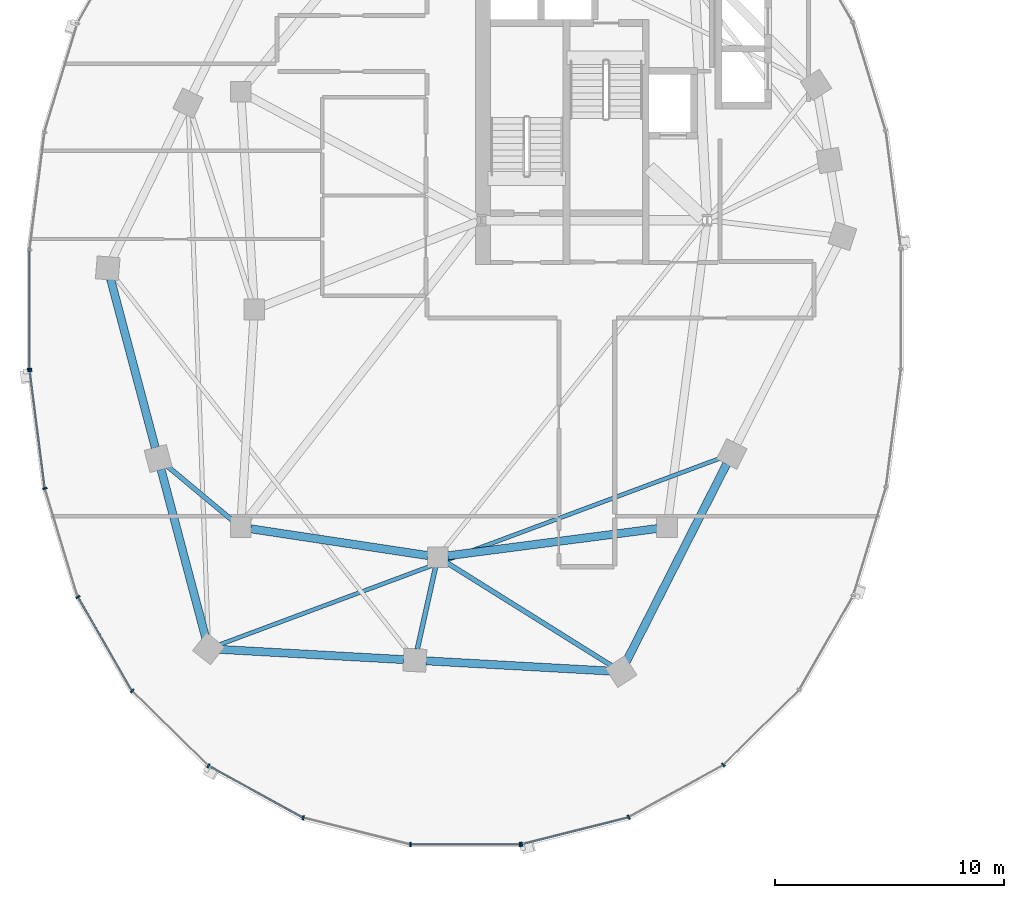
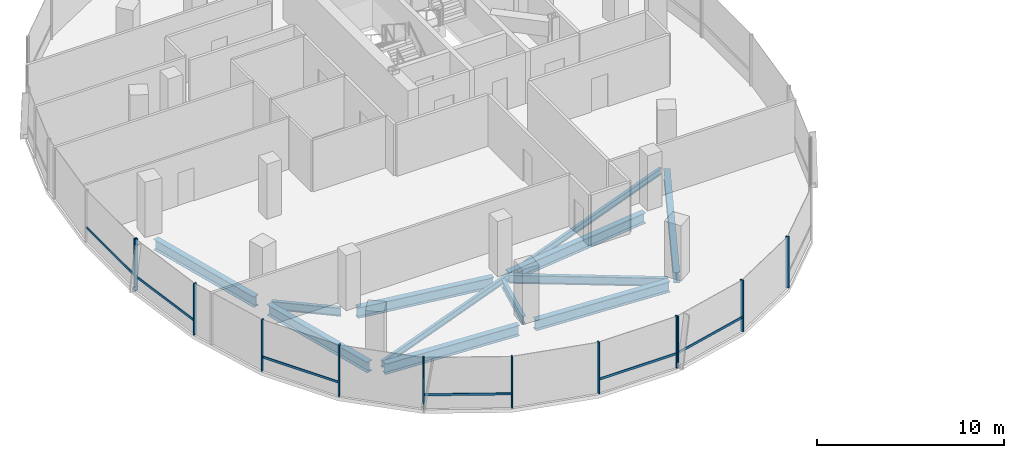
# One storey, part 2 of 22: 18 members, 11 beams, 3 elements without a shape of their own.
"""IFC4 building model written with IfcOpenShell, lengths in metres."""

from ifc_helpers import new_model, si_unit, direction, frame, origin, origin_2d, place, context, subcontext, project, spatial, rectangle, i_section, extrude, material, material_profile, profile_set, type_object, element, aggregate, save


model = new_model("IFC4")

# Units and contexts
model_context = context("Model", 3, precision=1e-05, world=origin(), true_north=direction((0.0, 1.0)))
body_context = subcontext(model_context, "Body", "Model", "MODEL_VIEW")
ifc_project = project(units=[si_unit("LENGTHUNIT", "METRE"), si_unit("AREAUNIT", "SQUARE_METRE"), si_unit("VOLUMEUNIT", "CUBIC_METRE"), si_unit("PLANEANGLEUNIT", "RADIAN"), si_unit("MASSUNIT", "GRAM", prefix="KILO"), si_unit("THERMODYNAMICTEMPERATUREUNIT", "KELVIN"), si_unit("POWERUNIT", "WATT")], contexts=[model_context])

# Site, building, storey
site_placement = place(None, origin())
site = spatial("IfcSite", under=ifc_project, at=site_placement, CompositionType="ELEMENT")
building_placement = place(site_placement, origin())
building = spatial("IfcBuilding", under=site, at=building_placement, Name="Cundina Bronze Exchange", CompositionType="ELEMENT")
storey_placement = place(building_placement, frame((0.0, 0.0, 147.60009765625)))
storey = spatial("IfcBuildingStorey", under=building, at=storey_placement, Name="L38", CompositionType="ELEMENT", Elevation=147.60009765625)

# Beams
ifc_material_1 = material(Name="Steel ASTM A992 Grade 50", Category="steel")
ifc_material_profile_1 = material_profile(ifc_material_1, i_section(OverallWidth=0.2119140625, OverallDepth=0.5439453125, WebThickness=0.01318359375, FlangeThickness=0.021240234375, FilletRadius=0.013916015625, at=origin_2d()), Name="W21X83", Category="steel")
ifc_profile_set_1 = profile_set([ifc_material_profile_1], Name="Steel ASTM A992 Grade 50")
beam_type_1 = type_object("IfcBeamType", Name="BM-FLR-W21A", PredefinedType="BEAM", material=ifc_profile_set_1)
beam_1_placement = place(storey_placement, frame((-42.136474609375, -9.219482421875, -0.51220703125), z_axis=(-0.768253211489, 0.640146079451, 0.0), x_axis=(-0.640146079451, -0.768253211489, 0.0)))
element("IfcBeam", 1, at=beam_1_placement, inside=storey, type_object=beam_type_1, Name="L38 Leg W Radial Floor Beam 09", PredefinedType="BEAM", context=body_context, shape_type="SweptSolid", body=[
    extrude(i_section(OverallWidth=0.2119140625, OverallDepth=0.5439453125, WebThickness=0.01318359375, FlangeThickness=0.021240234375, FilletRadius=0.013916015625, at=origin_2d()), origin(), (0.0, 0.0, 1.0), 3.760009765625),
])
beam_2_placement = place(storey_placement, frame((-33.294921875, -11.2275390625, -0.51220703125), z_axis=(-0.216923440287, -0.976188619609, 0.0), x_axis=(0.976188619609, -0.216923440287, 0.0)))
element("IfcBeam", 2, at=beam_2_placement, inside=storey, type_object=beam_type_1, Name="L38 Leg W Radial Floor Beam 11", PredefinedType="BEAM", context=body_context, shape_type="SweptSolid", body=[
    extrude(i_section(OverallWidth=0.2119140625, OverallDepth=0.5439453125, WebThickness=0.01318359375, FlangeThickness=0.021240234375, FilletRadius=0.013916015625, at=origin_2d()), origin(), (0.0, 0.0, 1.0), 3.68359375),
])
beam_3_placement = place(storey_placement, frame((-32.82861328125, -11.031982421875, -0.51220703125), z_axis=(0.847985407265, -0.530019574228, 0.0), x_axis=(0.530019574228, 0.847985407265, 0.0)))
element("IfcBeam", 3, at=beam_3_placement, inside=storey, type_object=beam_type_1, Name="L38 Leg W Radial Floor Beam 12", PredefinedType="BEAM", context=body_context, shape_type="SweptSolid", body=[
    extrude(i_section(OverallWidth=0.2119140625, OverallDepth=0.5439453125, WebThickness=0.01318359375, FlangeThickness=0.021240234375, FilletRadius=0.013916015625, at=origin_2d()), origin(), (0.0, 0.0, 1.0), 8.50830078125),
])
ifc_material_profile_2 = material_profile(ifc_material_1, i_section(OverallWidth=0.178955078125, OverallDepth=0.409912109375, WebThickness=0.0087890625, FlangeThickness=0.014404296875, FilletRadius=0.010986328125, at=origin_2d()), Name="W16X45", Category="steel")
ifc_profile_set_2 = profile_set([ifc_material_profile_2], Name="Steel ASTM A992 Grade 50")
beam_type_2 = type_object("IfcBeamType", Name="BM-JST-W16", PredefinedType="JOIST", material=ifc_profile_set_2)
beam_4_placement = place(storey_placement, frame((-42.74267578125, -14.629638671875, -0.445068359375), z_axis=(0.937127922351, 0.348986041483, 0.0), x_axis=(-0.348986041483, 0.937127922351, 0.0)))
element("IfcBeam", 4, at=beam_4_placement, inside=storey, type_object=beam_type_2, Name="L38 Leg W Lobe Floor Joist 10-13", PredefinedType="JOIST", context=body_context, shape_type="SweptSolid", body=[
    extrude(i_section(OverallWidth=0.178955078125, OverallDepth=0.409912109375, WebThickness=0.0087890625, FlangeThickness=0.014404296875, FilletRadius=0.010986328125, at=origin_2d()), origin(), (0.0, 0.0, 1.0), 23.38037109375),
])
ifc_material_profile_3 = material_profile(ifc_material_1, i_section(OverallWidth=0.35498046875, OverallDepth=0.695068359375, WebThickness=0.015380859375, FlangeThickness=0.02490234375, FilletRadius=0.01806640625, at=origin_2d()), Name="W27X146", Category="steel")
ifc_profile_set_3 = profile_set([ifc_material_profile_3], Name="Steel ASTM A992 Grade 50")
beam_type_3 = type_object("IfcBeamType", Name="BM-RING-W27", PredefinedType="USERDEFINED", material=ifc_profile_set_3)
beam_5_placement = place(storey_placement, frame((-41.366943359375, -9.5654296875, -0.587646484375), z_axis=(0.988764903598, -0.149478979839, 0.0), x_axis=(0.149478979839, 0.988764903598, 0.0)))
element("IfcBeam", 5, at=beam_5_placement, inside=storey, type_object=beam_type_3, Name="L38 W Inner Structural Ring Girder 05", ObjectType="GIRDER", PredefinedType="USERDEFINED", context=body_context, shape_type="SweptSolid", body=[
    extrude(i_section(OverallWidth=0.35498046875, OverallDepth=0.695068359375, WebThickness=0.015380859375, FlangeThickness=0.02490234375, FilletRadius=0.01806640625, at=origin_2d()), origin(), (0.0, 0.0, 1.0), 7.82177734375),
])
beam_6_placement = place(storey_placement, frame((-32.765625, -10.743408203125, -0.587646484375), z_axis=(0.991656498582, 0.128908451316, 0.0), x_axis=(-0.128908451316, 0.991656498582, 0.0)))
element("IfcBeam", 6, at=beam_6_placement, inside=storey, type_object=beam_type_3, Name="L38 W Inner Structural Ring Girder 06", ObjectType="GIRDER", PredefinedType="USERDEFINED", context=body_context, shape_type="SweptSolid", body=[
    extrude(i_section(OverallWidth=0.35498046875, OverallDepth=0.695068359375, WebThickness=0.015380859375, FlangeThickness=0.02490234375, FilletRadius=0.01806640625, at=origin_2d()), origin(), (0.0, 0.0, 1.0), 9.208251953125),
])
for number, where, z_axis, x_axis, name in (
    (7, (-47.47509765625, 1.328369140625, -0.587646484375), (0.256240814108, -0.966612975904, 0.0), (0.966612975904, 0.256240814108, 0.0), "L38 W Perimeter Ring Girder 08"),
    (8, (-45.27490234375, -6.9716796875, -0.587646484375), (0.256210841755, -0.96662092082, 0.0), (0.96662092082, 0.256210841755, 0.0), "L38 W Perimeter Ring Girder 09"),
):
    element("IfcBeam", number, at=place(storey_placement, frame(where, z_axis=z_axis, x_axis=x_axis)), inside=storey, type_object=beam_type_3, Name=name, ObjectType="GIRDER", PredefinedType="USERDEFINED", context=body_context, shape_type="SweptSolid", body=[
        extrude(i_section(OverallWidth=0.35498046875, OverallDepth=0.695068359375, WebThickness=0.015380859375, FlangeThickness=0.02490234375, FilletRadius=0.01806640625, at=origin_2d()), origin(), (0.0, 0.0, 1.0), 7.61083984375),
    ])
for number, where, z_axis, x_axis, name in (
    (9, (-42.712890625, -14.8271484375, -0.587646484375), (0.998460820451, -0.055461608559, 0.0), (0.055461608559, 0.998460820451, 0.0), "L38 W Perimeter Ring Girder 10"),
    (10, (-33.712890625, -15.3271484375, -0.587646484375), (0.998460820451, -0.055461608559, 0.0), (0.055461608559, 0.998460820451, 0.0), "L38 W Perimeter Ring Girder 11"),
):
    element("IfcBeam", number, at=place(storey_placement, frame(where, z_axis=z_axis, x_axis=x_axis)), inside=storey, type_object=beam_type_3, Name=name, ObjectType="GIRDER", PredefinedType="USERDEFINED", context=body_context, shape_type="SweptSolid", body=[
        extrude(i_section(OverallWidth=0.35498046875, OverallDepth=0.695068359375, WebThickness=0.015380859375, FlangeThickness=0.02490234375, FilletRadius=0.01806640625, at=origin_2d()), origin(), (0.0, 0.0, 1.0), 8.0380859375),
    ])
beam_7_placement = place(storey_placement, frame((-24.97900390625, -15.364990234375, -0.587646484375), z_axis=(0.452834585354, 0.891594548159, 0.0), x_axis=(-0.891594548159, 0.452834585354, 0.0)))
element("IfcBeam", 11, at=beam_7_placement, inside=storey, type_object=beam_type_3, Name="L38 W Perimeter Ring Girder 12", ObjectType="GIRDER", PredefinedType="USERDEFINED", context=body_context, shape_type="SweptSolid", body=[
    extrude(i_section(OverallWidth=0.35498046875, OverallDepth=0.695068359375, WebThickness=0.015380859375, FlangeThickness=0.02490234375, FilletRadius=0.01806640625, at=origin_2d()), origin(), (0.0, 0.0, 1.0), 9.67919921875),
])

# Curtain wall, member
ifc_material_2 = material(Name="Anodised Bronze Aluminium 6063-T6", Category="aluminium")
curtain_wall_type = type_object("IfcCurtainWallType", Name="CWS-WST-PIN", PredefinedType="NOTDEFINED", material=ifc_material_2)
curtain_wall_1_placement = place(storey_placement, origin())
curtain_wall_1 = element("IfcCurtainWall", 12, at=curtain_wall_1_placement, inside=storey, type_object=curtain_wall_type, Name="L38 CW-04 Curtain Wall Run CWR-L38-W2", PredefinedType="NOTDEFINED")
ifc_material_profile_4 = material_profile(ifc_material_2, rectangle(XDim=0.070068359375, YDim=0.18994140625, at=origin_2d()), Name="AL70X190", Category="aluminium")
ifc_profile_set_4 = profile_set([ifc_material_profile_4], Name="Anodised Bronze Aluminium 6063-T6")
member_type_1 = type_object("IfcMemberType", Name="CWM-MUL-190", PredefinedType="MULLION", material=ifc_profile_set_4)
member_1_placement = place(storey_placement, frame((-51.007080078125, -2.593017578125, 0.0), z_axis=(0.0, 0.0, 1.0), x_axis=(0.0, -1.0, 0.0)))
member_1 = element("IfcMember", 13, at=member_1_placement, type_object=member_type_1, Name="CW-04 End Mullion", PredefinedType="MULLION", context=body_context, shape_type="SweptSolid", body=[
    extrude(rectangle(XDim=0.070068359375, YDim=0.18994140625, at=origin_2d()), origin(), (0.0, 0.0, 1.0), 3.35986328125),
])

# Curtain wall, members
curtain_wall_2_placement = place(storey_placement, origin())
curtain_wall_2 = element("IfcCurtainWall", 14, at=curtain_wall_2_placement, inside=storey, type_object=curtain_wall_type, Name="L38 CW-04 Curtain Wall Run CWR-L38-W3", PredefinedType="NOTDEFINED")
member_2_placement = place(storey_placement, frame((-51.001708984375, -2.676025390625, 0.0), z_axis=(0.0, 0.0, 1.0), x_axis=(0.126545236492, -0.991960837494, 0.0)))
member_2 = element("IfcMember", 15, at=member_2_placement, type_object=member_type_1, Name="CW-04 Mullion 1", PredefinedType="MULLION", context=body_context, shape_type="SweptSolid", body=[
    extrude(rectangle(XDim=0.070068359375, YDim=0.18994140625, at=origin_2d()), origin(), (0.0, 0.0, 1.0), 3.35986328125),
])
member_3_placement = place(storey_placement, frame((-50.3408203125, -7.80859375, 0.0), z_axis=(0.0, 0.0, 1.0), x_axis=(0.290034140915, -0.957016299288, 0.0)))
member_3 = element("IfcMember", 16, at=member_3_placement, type_object=member_type_1, Name="CW-04 Mullion 2", PredefinedType="MULLION", context=body_context, shape_type="SweptSolid", body=[
    extrude(rectangle(XDim=0.070068359375, YDim=0.18994140625, at=origin_2d()), origin(), (0.0, 0.0, 1.0), 3.35986328125),
])
member_4_placement = place(storey_placement, frame((-48.89794921875, -12.541259765625, 0.0), z_axis=(0.0, 0.0, 1.0), x_axis=(0.498487739754, -0.866896748936, 0.0)))
member_4 = element("IfcMember", 17, at=member_4_placement, type_object=member_type_1, Name="CW-04 Mullion 3", PredefinedType="MULLION", context=body_context, shape_type="SweptSolid", body=[
    extrude(rectangle(XDim=0.070068359375, YDim=0.18994140625, at=origin_2d()), origin(), (0.0, 0.0, 1.0), 3.35986328125),
])
member_5_placement = place(storey_placement, frame((-46.530517578125, -16.640380859375, 0.0), z_axis=(0.0, 0.0, 1.0), x_axis=(0.712026045991, -0.702153052995, 0.0)))
member_5 = element("IfcMember", 18, at=member_5_placement, type_object=member_type_1, Name="CW-04 Mullion 4", PredefinedType="MULLION", context=body_context, shape_type="SweptSolid", body=[
    extrude(rectangle(XDim=0.070068359375, YDim=0.18994140625, at=origin_2d()), origin(), (0.0, 0.0, 1.0), 3.35986328125),
])
member_6_placement = place(storey_placement, frame((-43.20654296875, -19.906005859375, 0.0), z_axis=(0.0, 0.0, 1.0), x_axis=(0.875885937035, -0.482518212408, 0.0)))
member_6 = element("IfcMember", 19, at=member_6_placement, type_object=member_type_1, Name="CW-04 Mullion 5", PredefinedType="MULLION", context=body_context, shape_type="SweptSolid", body=[
    extrude(rectangle(XDim=0.070068359375, YDim=0.18994140625, at=origin_2d()), origin(), (0.0, 0.0, 1.0), 3.35986328125),
])
member_7_placement = place(storey_placement, frame((-39.067626953125, -22.17626953125, 0.0), z_axis=(0.0, 0.0, 1.0), x_axis=(0.970084240161, -0.242768546132, 0.0)))
member_7 = element("IfcMember", 20, at=member_7_placement, type_object=member_type_1, Name="CW-04 Mullion 6", PredefinedType="MULLION", context=body_context, shape_type="SweptSolid", body=[
    extrude(rectangle(XDim=0.070068359375, YDim=0.18994140625, at=origin_2d()), origin(), (0.0, 0.0, 1.0), 3.35986328125),
])
member_8_placement = place(storey_placement, frame((-34.39404296875, -23.3369140625, 0.0), z_axis=(0.0, 0.0, 1.0), x_axis=(1.0, 0.0, 0.0)))
member_8 = element("IfcMember", 21, at=member_8_placement, type_object=member_type_1, Name="CW-04 Mullion 7", PredefinedType="MULLION", context=body_context, shape_type="SweptSolid", body=[
    extrude(rectangle(XDim=0.070068359375, YDim=0.18994140625, at=origin_2d()), origin(), (0.0, 0.0, 1.0), 3.35986328125),
])
member_9_placement = place(storey_placement, frame((-29.60595703125, -23.3369140625, 0.0), z_axis=(0.0, 0.0, 1.0), x_axis=(1.0, 0.0, 0.0)))
member_9 = element("IfcMember", 22, at=member_9_placement, type_object=member_type_1, Name="CW-04 End Mullion", PredefinedType="MULLION", context=body_context, shape_type="SweptSolid", body=[
    extrude(rectangle(XDim=0.070068359375, YDim=0.18994140625, at=origin_2d()), origin(), (0.0, 0.0, 1.0), 3.35986328125),
])

curtain_wall_3_placement = place(storey_placement, origin())
curtain_wall_3 = element("IfcCurtainWall", 23, at=curtain_wall_3_placement, inside=storey, type_object=curtain_wall_type, Name="L38 CW-04 Curtain Wall Run CWR-L38-W4", PredefinedType="NOTDEFINED")
member_10_placement = place(storey_placement, frame((-29.537353515625, -23.32861328125, 0.0), z_axis=(0.0, 0.0, 1.0), x_axis=(0.970084240161, 0.242768546132, 0.0)))
member_10 = element("IfcMember", 24, at=member_10_placement, type_object=member_type_1, Name="CW-04 Mullion 1", PredefinedType="MULLION", context=body_context, shape_type="SweptSolid", body=[
    extrude(rectangle(XDim=0.070068359375, YDim=0.18994140625, at=origin_2d()), origin(), (0.0, 0.0, 1.0), 3.35986328125),
])
member_11_placement = place(storey_placement, frame((-24.86962890625, -22.151611328125, 0.0), z_axis=(0.0, 0.0, 1.0), x_axis=(0.875885937035, 0.482518212408, 0.0)))
member_11 = element("IfcMember", 25, at=member_11_placement, type_object=member_type_1, Name="CW-04 Mullion 2", PredefinedType="MULLION", context=body_context, shape_type="SweptSolid", body=[
    extrude(rectangle(XDim=0.070068359375, YDim=0.18994140625, at=origin_2d()), origin(), (0.0, 0.0, 1.0), 3.35986328125),
])
member_12_placement = place(storey_placement, frame((-20.740966796875, -19.86669921875, 0.0), z_axis=(0.0, 0.0, 1.0), x_axis=(0.712026045991, 0.702153052995, 0.0)))
member_12 = element("IfcMember", 26, at=member_12_placement, type_object=member_type_1, Name="CW-04 Mullion 3", PredefinedType="MULLION", context=body_context, shape_type="SweptSolid", body=[
    extrude(rectangle(XDim=0.070068359375, YDim=0.18994140625, at=origin_2d()), origin(), (0.0, 0.0, 1.0), 3.35986328125),
])

# Member
ifc_material_profile_5 = material_profile(ifc_material_2, rectangle(XDim=0.06494140625, YDim=0.14990234375, at=origin_2d()), Name="AL65X150", Category="aluminium")
ifc_profile_set_5 = profile_set([ifc_material_profile_5], Name="Anodised Bronze Aluminium 6063-T6")
member_type_2 = type_object("IfcMemberType", Name="CWM-TRN-150", PredefinedType="USERDEFINED", material=ifc_profile_set_5)
member_13_placement = place(storey_placement, frame((-51.007080078125, 2.554443359375, 0.919921875), z_axis=(0.0, -1.0, 0.0), x_axis=(1.0, 0.0, 0.0)))
member_13 = element("IfcMember", 27, at=member_13_placement, type_object=member_type_2, Name="CW-04 Spandrel Transom 7", ObjectType="TRANSOM", PredefinedType="USERDEFINED", context=body_context, shape_type="SweptSolid", body=[
    extrude(rectangle(XDim=0.06494140625, YDim=0.14990234375, at=origin_2d()), origin(), (0.0, 0.0, 1.0), 5.10888671875),
])

aggregate(curtain_wall_1, [member_1, member_13])

member_14_placement = place(storey_placement, frame((-50.996826171875, -2.71435546875, 0.919921875), z_axis=(0.12646340362, -0.991971273548, 0.0), x_axis=(0.991971273548, 0.12646340362, 0.0)))
member_14 = element("IfcMember", 28, at=member_14_placement, type_object=member_type_2, Name="CW-04 Spandrel Transom 1", ObjectType="TRANSOM", PredefinedType="USERDEFINED", context=body_context, shape_type="SweptSolid", body=[
    extrude(rectangle(XDim=0.06494140625, YDim=0.14990234375, at=origin_2d()), origin(), (0.0, 0.0, 1.0), 5.0966796875),
])

member_15_placement = place(storey_placement, frame((-48.878662109375, -12.574462890625, 0.919921875), z_axis=(0.498479967047, -0.866901218394, 0.0), x_axis=(0.866901218394, 0.498479967047, 0.0)))
member_15 = element("IfcMember", 29, at=member_15_placement, type_object=member_type_2, Name="CW-04 Spandrel Transom 3", ObjectType="TRANSOM", PredefinedType="USERDEFINED", context=body_context, shape_type="SweptSolid", body=[
    extrude(rectangle(XDim=0.06494140625, YDim=0.14990234375, at=origin_2d()), origin(), (0.0, 0.0, 1.0), 4.66845703125),
])

member_16_placement = place(storey_placement, frame((-43.1728515625, -19.924560546875, 0.919921875), z_axis=(0.875878981549, -0.482530838062, 0.0), x_axis=(0.482530838062, 0.875878981549, 0.0)))
member_16 = element("IfcMember", 30, at=member_16_placement, type_object=member_type_2, Name="CW-04 Spandrel Transom 5", ObjectType="TRANSOM", PredefinedType="USERDEFINED", context=body_context, shape_type="SweptSolid", body=[
    extrude(rectangle(XDim=0.06494140625, YDim=0.14990234375, at=origin_2d()), origin(), (0.0, 0.0, 1.0), 4.65380859375),
])

member_17_placement = place(storey_placement, frame((-34.35546875, -23.3369140625, 0.919921875), z_axis=(1.0, 0.0, 0.0), x_axis=(0.0, 1.0, 0.0)))
member_17 = element("IfcMember", 31, at=member_17_placement, type_object=member_type_2, Name="CW-04 Spandrel Transom 7", ObjectType="TRANSOM", PredefinedType="USERDEFINED", context=body_context, shape_type="SweptSolid", body=[
    extrude(rectangle(XDim=0.06494140625, YDim=0.14990234375, at=origin_2d()), origin(), (0.0, 0.0, 1.0), 4.7109375),
])

aggregate(curtain_wall_2, [member_2, member_14, member_3, member_4, member_15, member_5, member_6, member_16, member_7, member_8, member_9, member_17])

member_18_placement = place(storey_placement, frame((-29.5, -23.319091796875, 0.919921875), z_axis=(0.970100130035, 0.242705042606, 0.0), x_axis=(-0.242705042606, 0.970100130035, 0.0)))
member_18 = element("IfcMember", 32, at=member_18_placement, type_object=member_type_2, Name="CW-04 Spandrel Transom 1", ObjectType="TRANSOM", PredefinedType="USERDEFINED", context=body_context, shape_type="SweptSolid", body=[
    extrude(rectangle(XDim=0.06494140625, YDim=0.14990234375, at=origin_2d()), origin(), (0.0, 0.0, 1.0), 4.746826171875),
])

aggregate(curtain_wall_3, [member_10, member_18, member_11, member_12])

save(model, "model.ifc")
